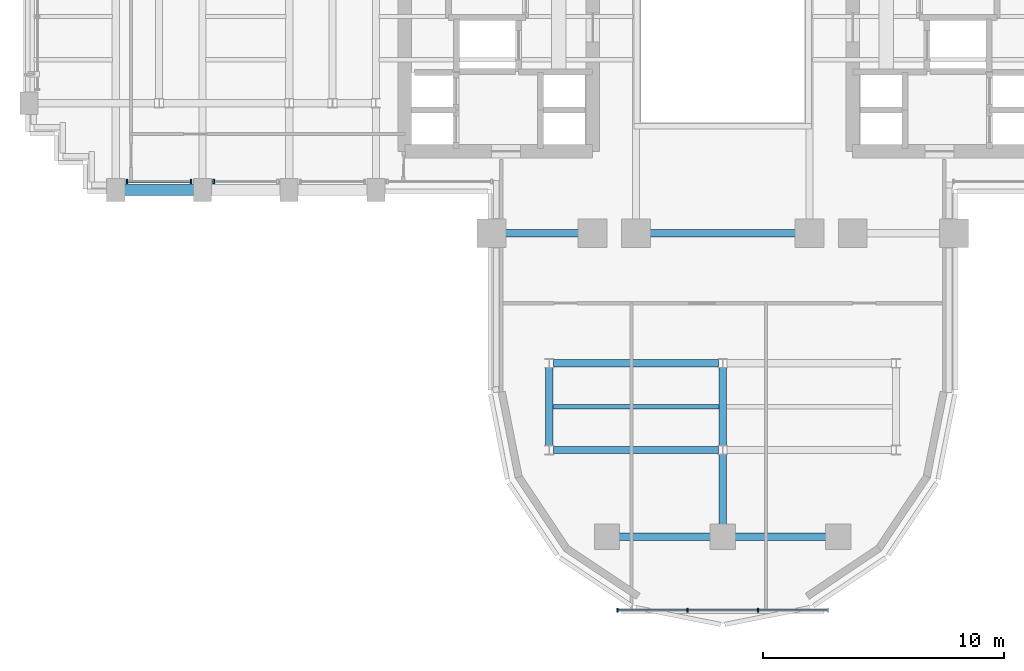
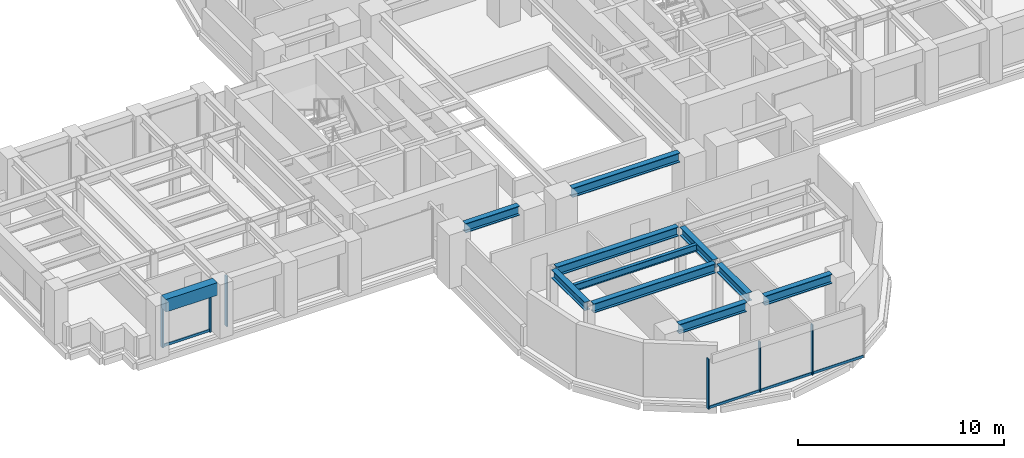
# One storey, part 3 of 16: 11 beams, 10 members, 3 elements without a shape of their own.
"""IFC4 building model written with IfcOpenShell, lengths in metres."""

from ifc_helpers import new_model, si_unit, direction, frame, origin, origin_2d, place, context, subcontext, project, spatial, rectangle, i_section, extrude, source, transform, mapped, material, material_profile, profile_set, type_object, element, aggregate, save


model = new_model("IFC4")

# Units and contexts
model_context = context("Model", 3, precision=1e-05, world=origin(), true_north=direction((0.0, 1.0)))
body_context = subcontext(model_context, "Body", "Model", "MODEL_VIEW")
ifc_project = project(units=[si_unit("LENGTHUNIT", "METRE"), si_unit("AREAUNIT", "SQUARE_METRE"), si_unit("VOLUMEUNIT", "CUBIC_METRE"), si_unit("PLANEANGLEUNIT", "RADIAN"), si_unit("MASSUNIT", "GRAM", prefix="KILO")], contexts=[model_context])

# Site, building, storey
site_placement = place(None, origin())
site = spatial("IfcSite", under=ifc_project, at=site_placement, CompositionType="ELEMENT")
building_placement = place(site_placement, origin())
building = spatial("IfcBuilding", under=site, at=building_placement, Name="Keilestroom Media Tower", CompositionType="ELEMENT")
storey_placement = place(building_placement, frame((0.0, 0.0, 57.800048828125)))
storey = spatial("IfcBuildingStorey", under=building, at=storey_placement, Name="L14", CompositionType="ELEMENT", Elevation=57.800048828125)

# Beams
ifc_material_1 = material(Name="Steel S355", Category="steel")
ifc_material_profile_1 = material_profile(ifc_material_1, i_section(OverallWidth=0.300048828125, OverallDepth=0.550048828125, WebThickness=0.012939453125, FlangeThickness=0.029052734375, at=origin_2d()), Name="HEB 550")
ifc_profile_set_1 = profile_set([ifc_material_profile_1], Name="Steel S355")
beam_type_1 = type_object("IfcBeamType", Name="Primary-Structural-Girder-HEB-550", PredefinedType="BEAM", material=ifc_profile_set_1)
shared_shape_1 = source(origin(), body_context, "Body", "SweptSolid", [
    extrude(i_section(OverallWidth=0.300048828125, OverallDepth=0.550048828125, WebThickness=0.012939453125, FlangeThickness=0.029052734375, at=origin_2d()), origin(), (0.0, 0.0, 1.0), 3.7900390625),
])
for number, where, z_axis, x_axis, name in (
    (1, (-4.294921875, -21.60009765625, 2.925048828125), (1.0, 0.0, 0.0), (0.0, 1.0, 0.0), "L14 Beam BG-5 BM-L14-EW-001"),
    (2, (0.5048828125, -21.60009765625, 2.925048828125), (1.0, 0.0, 0.0), (0.0, 1.0, 0.0), "L14 Beam BG-5 BM-L14-EW-002"),
):
    element("IfcBeam", number, at=place(storey_placement, frame(where, z_axis=z_axis, x_axis=x_axis)), inside=storey, type_object=beam_type_1, Name=name, PredefinedType="BEAM", context=body_context, shape_type="MappedRepresentation", body=[
        mapped(shared_shape_1, transform((0.0, 0.0, 0.0), x_axis=(1.0, 0.0, 0.0), y_axis=(0.0, 1.0, 0.0), z_axis=(0.0, 0.0, 1.0), scale=1.0)),
    ])
shared_shape_2 = source(origin(), body_context, "Body", "SweptSolid", [
    extrude(i_section(OverallWidth=0.300048828125, OverallDepth=0.550048828125, WebThickness=0.012939453125, FlangeThickness=0.029052734375, at=origin_2d()), origin(), (0.0, 0.0, 1.0), 6.836181640625),
])
for number, where, z_axis, x_axis, name in (
    (3, (-7.01806640625, -18.0, 2.925048828125), (1.0, 0.0, 0.0), (0.0, 1.0, 0.0), "L14 Beam BG-5 BM-L14-EW-003"),
    (4, (-7.01806640625, -14.39990234375, 2.925048828125), (1.0, 0.0, 0.0), (0.0, 1.0, 0.0), "L14 Beam BG-5 BM-L14-EW-005"),
):
    element("IfcBeam", number, at=place(storey_placement, frame(where, z_axis=z_axis, x_axis=x_axis)), inside=storey, type_object=beam_type_1, Name=name, PredefinedType="BEAM", context=body_context, shape_type="MappedRepresentation", body=[
        mapped(shared_shape_2, transform((0.0, 0.0, 0.0), x_axis=(1.0, 0.0, 0.0), y_axis=(0.0, 1.0, 0.0), z_axis=(0.0, 0.0, 1.0), scale=1.0)),
    ])
shared_shape_3 = source(origin(), body_context, "Body", "SweptSolid", [
    extrude(i_section(OverallWidth=0.300048828125, OverallDepth=0.550048828125, WebThickness=0.012939453125, FlangeThickness=0.029052734375, at=origin_2d()), origin(), (0.0, 0.0, 1.0), 3.0400390625),
])
beam_1_placement = place(storey_placement, frame((-9.02001953125, -9.0, 2.925048828125), z_axis=(1.0, 0.0, 0.0), x_axis=(0.0, 1.0, 0.0)))
element("IfcBeam", 5, at=beam_1_placement, inside=storey, type_object=beam_type_1, Name="L14 Beam BG-5 BM-L14-EW-007", PredefinedType="BEAM", context=body_context, shape_type="MappedRepresentation", body=[
    mapped(shared_shape_3, transform((0.0, 0.0, 0.0), x_axis=(1.0, 0.0, 0.0), y_axis=(0.0, 1.0, 0.0), z_axis=(0.0, 0.0, 1.0), scale=1.0)),
])
shared_shape_4 = source(origin(), body_context, "Body", "SweptSolid", [
    extrude(i_section(OverallWidth=0.300048828125, OverallDepth=0.550048828125, WebThickness=0.012939453125, FlangeThickness=0.029052734375, at=origin_2d()), origin(), (0.0, 0.0, 1.0), 6.0400390625),
])
beam_2_placement = place(storey_placement, frame((-3.02001953125, -9.0, 2.925048828125), z_axis=(1.0, 0.0, 0.0), x_axis=(0.0, 1.0, 0.0)))
element("IfcBeam", 6, at=beam_2_placement, inside=storey, type_object=beam_type_1, Name="L14 Beam BG-5 BM-L14-EW-009", PredefinedType="BEAM", context=body_context, shape_type="MappedRepresentation", body=[
    mapped(shared_shape_4, transform((0.0, 0.0, 0.0), x_axis=(1.0, 0.0, 0.0), y_axis=(0.0, 1.0, 0.0), z_axis=(0.0, 0.0, 1.0), scale=1.0)),
])
ifc_material_2 = material(Name="Precast concrete C40/50", Category="concrete")
ifc_material_profile_2 = material_profile(ifc_material_2, rectangle(XDim=0.449951171875, YDim=0.75, at=origin_2d()), Name="PC 450x750")
ifc_profile_set_2 = profile_set([ifc_material_profile_2], Name="Precast concrete C40/50")
beam_type_2 = type_object("IfcBeamType", Name="Perimeter-Spandrel-Beam-PC-450x750", PredefinedType="SPANDREL", material=ifc_profile_set_2)
shared_shape_5 = source(origin(), body_context, "Body", "SweptSolid", [
    extrude(rectangle(XDim=0.449951171875, YDim=0.75, at=origin_2d()), origin(), (0.0, 0.0, 1.0), 2.889892578125),
])
beam_3_placement = place(storey_placement, frame((-24.844970703125, -7.199951171875, 2.824951171875), z_axis=(1.0, 0.0, 0.0), x_axis=(0.0, 1.0, 0.0)))
element("IfcBeam", 7, at=beam_3_placement, inside=storey, type_object=beam_type_2, Name="L14 Beam SPB-1 BM-L14-EW-012", PredefinedType="SPANDREL", context=body_context, shape_type="MappedRepresentation", body=[
    mapped(shared_shape_5, transform((0.0, 0.0, 0.0), x_axis=(1.0, 0.0, 0.0), y_axis=(0.0, 1.0, 0.0), z_axis=(0.0, 0.0, 1.0), scale=1.0)),
])
ifc_material_profile_3 = material_profile(ifc_material_1, i_section(OverallWidth=0.300048828125, OverallDepth=0.5, WebThickness=0.012451171875, FlangeThickness=0.028076171875, at=origin_2d()), Name="HEB 500")
ifc_profile_set_3 = profile_set([ifc_material_profile_3], Name="Steel S355")
beam_type_3 = type_object("IfcBeamType", Name="Primary-Structural-Girder-HEB-500", PredefinedType="BEAM", material=ifc_profile_set_3)
shared_shape_6 = source(origin(), body_context, "Body", "SweptSolid", [
    extrude(i_section(OverallWidth=0.300048828125, OverallDepth=0.5, WebThickness=0.012451171875, FlangeThickness=0.028076171875, at=origin_2d()), origin(), (0.0, 0.0, 1.0), 3.23291015625),
])
for number, where, z_axis, x_axis, name in (
    (8, (-7.199951171875, -17.81640625, 2.949951171875), (0.0, 1.0, 0.0), (-1.0, 0.0, 0.0), "L14 Beam BG-6 BM-L14-NS-063"),
    (9, (0.0, -17.81640625, 2.949951171875), (0.0, 1.0, 0.0), (-1.0, 0.0, 0.0), "L14 Beam BG-6 BM-L14-NS-068"),
):
    element("IfcBeam", number, at=place(storey_placement, frame(where, z_axis=z_axis, x_axis=x_axis)), inside=storey, type_object=beam_type_3, Name=name, PredefinedType="BEAM", context=body_context, shape_type="MappedRepresentation", body=[
        mapped(shared_shape_6, transform((0.0, 0.0, 0.0), x_axis=(1.0, 0.0, 0.0), y_axis=(0.0, 1.0, 0.0), z_axis=(0.0, 0.0, 1.0), scale=1.0)),
    ])
shared_shape_7 = source(origin(), body_context, "Body", "SweptSolid", [
    extrude(i_section(OverallWidth=0.300048828125, OverallDepth=0.5, WebThickness=0.012451171875, FlangeThickness=0.028076171875, at=origin_2d()), origin(), (0.0, 0.0, 1.0), 2.911376953125),
])
beam_4_placement = place(storey_placement, frame((0.0, -21.094970703125, 2.949951171875), z_axis=(0.0, 1.0, 0.0), x_axis=(-1.0, 0.0, 0.0)))
element("IfcBeam", 10, at=beam_4_placement, inside=storey, type_object=beam_type_3, Name="L14 Beam BG-6 BM-L14-NS-067", PredefinedType="BEAM", context=body_context, shape_type="MappedRepresentation", body=[
    mapped(shared_shape_7, transform((0.0, 0.0, 0.0), x_axis=(1.0, 0.0, 0.0), y_axis=(0.0, 1.0, 0.0), z_axis=(0.0, 0.0, 1.0), scale=1.0)),
])
ifc_material_profile_4 = material_profile(ifc_material_1, i_section(OverallWidth=0.179931640625, OverallDepth=0.39990234375, WebThickness=0.008544921875, FlangeThickness=0.013427734375, at=origin_2d()), Name="IPE 400")
ifc_profile_set_4 = profile_set([ifc_material_profile_4], Name="Steel S355")
beam_type_4 = type_object("IfcBeamType", Name="Secondary-Floor-Joist-IPE-400", PredefinedType="JOIST", material=ifc_profile_set_4)
shared_shape_8 = source(origin(), body_context, "Body", "SweptSolid", [
    extrude(i_section(OverallWidth=0.179931640625, OverallDepth=0.39990234375, WebThickness=0.008544921875, FlangeThickness=0.013427734375, at=origin_2d()), origin(), (0.0, 0.0, 1.0), 6.940185546875),
])
beam_5_placement = place(storey_placement, frame((-7.070068359375, -16.199951171875, 3.0), z_axis=(1.0, 0.0, 0.0), x_axis=(0.0, 1.0, 0.0)))
element("IfcBeam", 11, at=beam_5_placement, inside=storey, type_object=beam_type_4, Name="L14 Beam BJ-4 JST-L14-087", PredefinedType="JOIST", context=body_context, shape_type="MappedRepresentation", body=[
    mapped(shared_shape_8, transform((0.0, 0.0, 0.0), x_axis=(1.0, 0.0, 0.0), y_axis=(0.0, 1.0, 0.0), z_axis=(0.0, 0.0, 1.0), scale=1.0)),
])

# Curtain wall, members
ifc_material_3 = material(Name="Anodised Aluminium Alloy", Category="aluminium")
curtain_wall_type_1 = type_object("IfcCurtainWallType", Name="Unitised-Curtain-Wall-CW-1", PredefinedType="NOTDEFINED", material=ifc_material_3)
curtain_wall_1_placement = place(storey_placement, origin())
curtain_wall_1 = element("IfcCurtainWall", 12, at=curtain_wall_1_placement, inside=storey, type_object=curtain_wall_type_1, Name="L14 Curtain Wall CW-1 CW-L14-SW-1", PredefinedType="NOTDEFINED")
ifc_material_profile_5 = material_profile(ifc_material_3, rectangle(XDim=0.070068359375, YDim=0.199951171875, at=origin_2d()), Name="ALU MULLION 70x200")
ifc_profile_set_5 = profile_set([ifc_material_profile_5], Name="Anodised Aluminium Alloy")
member_type_1 = type_object("IfcMemberType", Name="Curtain-Wall-Mullion-CW-1", PredefinedType="MULLION", material=ifc_profile_set_5)
shared_shape_9 = source(origin(), body_context, "Body", "SweptSolid", [
    extrude(rectangle(XDim=0.070068359375, YDim=0.199951171875, at=origin_2d()), origin(), (0.0, 0.0, 1.0), 2.97998046875),
])
member_1_placement = place(storey_placement, frame((-24.72998046875, -6.85009765625, 0.0), z_axis=(0.0, 0.0, 1.0), x_axis=(1.0, 0.0, 0.0)))
member_1 = element("IfcMember", 13, at=member_1_placement, type_object=member_type_1, Name="CW-1 Mullion 00", PredefinedType="MULLION", context=body_context, shape_type="MappedRepresentation", body=[
    mapped(shared_shape_9, transform((0.0, 0.0, 0.0), x_axis=(1.0, 0.0, 0.0), y_axis=(0.0, 1.0, 0.0), z_axis=(0.0, 0.0, 1.0), scale=1.0)),
])
member_2_placement = place(storey_placement, frame((-22.070068359375, -6.85009765625, 0.0), z_axis=(0.0, 0.0, 1.0), x_axis=(1.0, 0.0, 0.0)))
member_2 = element("IfcMember", 14, at=member_2_placement, type_object=member_type_1, Name="CW-1 Mullion 01", PredefinedType="MULLION", context=body_context, shape_type="MappedRepresentation", body=[
    mapped(shared_shape_9, transform((0.0, 0.0, 0.0), x_axis=(1.0, 0.0, 0.0), y_axis=(0.0, 1.0, 0.0), z_axis=(0.0, 0.0, 1.0), scale=1.0)),
])

# Curtain wall, member
curtain_wall_2_placement = place(storey_placement, origin())
curtain_wall_2 = element("IfcCurtainWall", 15, at=curtain_wall_2_placement, inside=storey, type_object=curtain_wall_type_1, Name="L14 Curtain Wall CW-1 CW-L14-SW-2", PredefinedType="NOTDEFINED")
member_3_placement = place(storey_placement, frame((-21.1298828125, -6.85009765625, 0.0), z_axis=(0.0, 0.0, 1.0), x_axis=(1.0, 0.0, 0.0)))
member_3 = element("IfcMember", 16, at=member_3_placement, type_object=member_type_1, Name="CW-1 Mullion 00", PredefinedType="MULLION", context=body_context, shape_type="MappedRepresentation", body=[
    mapped(shared_shape_9, transform((0.0, 0.0, 0.0), x_axis=(1.0, 0.0, 0.0), y_axis=(0.0, 1.0, 0.0), z_axis=(0.0, 0.0, 1.0), scale=1.0)),
])
aggregate(curtain_wall_2, [member_3])

# Member
ifc_material_profile_6 = material_profile(ifc_material_3, rectangle(XDim=0.06494140625, YDim=0.14990234375, at=origin_2d()), Name="ALU TRANSOM 65x150")
ifc_profile_set_6 = profile_set([ifc_material_profile_6], Name="Anodised Aluminium Alloy")
member_type_2 = type_object("IfcMemberType", Name="Curtain-Wall-Transom-CW-1", PredefinedType="USERDEFINED", material=ifc_profile_set_6)
shared_shape_10 = source(origin(), body_context, "Body", "SweptSolid", [
    extrude(rectangle(XDim=0.06494140625, YDim=0.14990234375, at=origin_2d()), origin(), (0.0, 0.0, 1.0), 2.593994140625),
])
member_4_placement = place(storey_placement, frame((-24.697021484375, -6.85009765625, 0.074951171875), z_axis=(1.0, 0.0, 0.0), x_axis=(0.0, 1.0, 0.0)))
member_4 = element("IfcMember", 17, at=member_4_placement, type_object=member_type_2, Name="CW-1 Transom 00.1", ObjectType="TRANSOM", PredefinedType="USERDEFINED", context=body_context, shape_type="MappedRepresentation", body=[
    mapped(shared_shape_10, transform((0.0, 0.0, 0.0), x_axis=(1.0, 0.0, 0.0), y_axis=(0.0, 1.0, 0.0), z_axis=(0.0, 0.0, 1.0), scale=1.0)),
])

aggregate(curtain_wall_1, [member_1, member_2, member_4])

# Curtain wall, members
curtain_wall_type_2 = type_object("IfcCurtainWallType", Name="Unitised-Curtain-Wall-CW-6", PredefinedType="NOTDEFINED", material=ifc_material_3)
curtain_wall_3_placement = place(storey_placement, origin())
curtain_wall_3 = element("IfcCurtainWall", 18, at=curtain_wall_3_placement, inside=storey, type_object=curtain_wall_type_2, Name="L14 Curtain Wall CW-6 CW-L14-LS-1", PredefinedType="NOTDEFINED")
ifc_material_profile_7 = material_profile(ifc_material_3, rectangle(XDim=0.06494140625, YDim=0.179931640625, at=origin_2d()), Name="ALU MULLION 65x180")
ifc_profile_set_7 = profile_set([ifc_material_profile_7], Name="Anodised Aluminium Alloy")
member_type_3 = type_object("IfcMemberType", Name="Curtain-Wall-Mullion-CW-6", PredefinedType="MULLION", material=ifc_profile_set_7)
shared_shape_11 = source(origin(), body_context, "Body", "SweptSolid", [
    extrude(rectangle(XDim=0.06494140625, YDim=0.179931640625, at=origin_2d()), origin(), (0.0, 0.0, 1.0), 2.97998046875),
])
member_5_placement = place(storey_placement, frame((-4.367431640625, -24.64990234375, 0.0), z_axis=(0.0, 0.0, 1.0), x_axis=(1.0, 0.0, 0.0)))
member_5 = element("IfcMember", 19, at=member_5_placement, type_object=member_type_3, Name="CW-6 Mullion 00", PredefinedType="MULLION", context=body_context, shape_type="MappedRepresentation", body=[
    mapped(shared_shape_11, transform((0.0, 0.0, 0.0), x_axis=(1.0, 0.0, 0.0), y_axis=(0.0, 1.0, 0.0), z_axis=(0.0, 0.0, 1.0), scale=1.0)),
])
member_6_placement = place(storey_placement, frame((-1.466796875, -24.64990234375, 0.0), z_axis=(0.0, 0.0, 1.0), x_axis=(1.0, 0.0, 0.0)))
member_6 = element("IfcMember", 20, at=member_6_placement, type_object=member_type_3, Name="CW-6 Mullion 01", PredefinedType="MULLION", context=body_context, shape_type="MappedRepresentation", body=[
    mapped(shared_shape_11, transform((0.0, 0.0, 0.0), x_axis=(1.0, 0.0, 0.0), y_axis=(0.0, 1.0, 0.0), z_axis=(0.0, 0.0, 1.0), scale=1.0)),
])
member_7_placement = place(storey_placement, frame((1.466796875, -24.64990234375, 0.0), z_axis=(0.0, 0.0, 1.0), x_axis=(1.0, 0.0, 0.0)))
member_7 = element("IfcMember", 21, at=member_7_placement, type_object=member_type_3, Name="CW-6 Mullion 02", PredefinedType="MULLION", context=body_context, shape_type="MappedRepresentation", body=[
    mapped(shared_shape_11, transform((0.0, 0.0, 0.0), x_axis=(1.0, 0.0, 0.0), y_axis=(0.0, 1.0, 0.0), z_axis=(0.0, 0.0, 1.0), scale=1.0)),
])
ifc_material_profile_8 = material_profile(ifc_material_3, rectangle(XDim=0.06494140625, YDim=0.14990234375, at=origin_2d()), Name="ALU TRANSOM 65x150")
ifc_profile_set_8 = profile_set([ifc_material_profile_8], Name="Anodised Aluminium Alloy")
member_type_4 = type_object("IfcMemberType", Name="Curtain-Wall-Transom-CW-6", PredefinedType="USERDEFINED", material=ifc_profile_set_8)
shared_shape_12 = source(origin(), body_context, "Body", "SweptSolid", [
    extrude(rectangle(XDim=0.06494140625, YDim=0.14990234375, at=origin_2d()), origin(), (0.0, 0.0, 1.0), 2.839599609375),
])
member_8_placement = place(storey_placement, frame((-4.3369140625, -24.64990234375, 0.074951171875), z_axis=(1.0, 0.0, 0.0), x_axis=(0.0, 1.0, 0.0)))
member_8 = element("IfcMember", 22, at=member_8_placement, type_object=member_type_4, Name="CW-6 Transom 00.1", ObjectType="TRANSOM", PredefinedType="USERDEFINED", context=body_context, shape_type="MappedRepresentation", body=[
    mapped(shared_shape_12, transform((0.0, 0.0, 0.0), x_axis=(1.0, 0.0, 0.0), y_axis=(0.0, 1.0, 0.0), z_axis=(0.0, 0.0, 1.0), scale=1.0)),
])
member_9_placement = place(storey_placement, frame((1.497314453125, -24.64990234375, 0.074951171875), z_axis=(1.0, 0.0, 0.0), x_axis=(0.0, 1.0, 0.0)))
member_9 = element("IfcMember", 23, at=member_9_placement, type_object=member_type_4, Name="CW-6 Transom 02.1", ObjectType="TRANSOM", PredefinedType="USERDEFINED", context=body_context, shape_type="MappedRepresentation", body=[
    mapped(shared_shape_12, transform((0.0, 0.0, 0.0), x_axis=(1.0, 0.0, 0.0), y_axis=(0.0, 1.0, 0.0), z_axis=(0.0, 0.0, 1.0), scale=1.0)),
])
shared_shape_13 = source(origin(), body_context, "Body", "SweptSolid", [
    extrude(rectangle(XDim=0.06494140625, YDim=0.14990234375, at=origin_2d()), origin(), (0.0, 0.0, 1.0), 2.87255859375),
])
member_10_placement = place(storey_placement, frame((-1.436279296875, -24.64990234375, 0.074951171875), z_axis=(1.0, 0.0, 0.0), x_axis=(0.0, 1.0, 0.0)))
member_10 = element("IfcMember", 24, at=member_10_placement, type_object=member_type_4, Name="CW-6 Transom 01.1", ObjectType="TRANSOM", PredefinedType="USERDEFINED", context=body_context, shape_type="MappedRepresentation", body=[
    mapped(shared_shape_13, transform((0.0, 0.0, 0.0), x_axis=(1.0, 0.0, 0.0), y_axis=(0.0, 1.0, 0.0), z_axis=(0.0, 0.0, 1.0), scale=1.0)),
])
aggregate(curtain_wall_3, [member_5, member_6, member_7, member_8, member_10, member_9])

save(model, "model.ifc")
